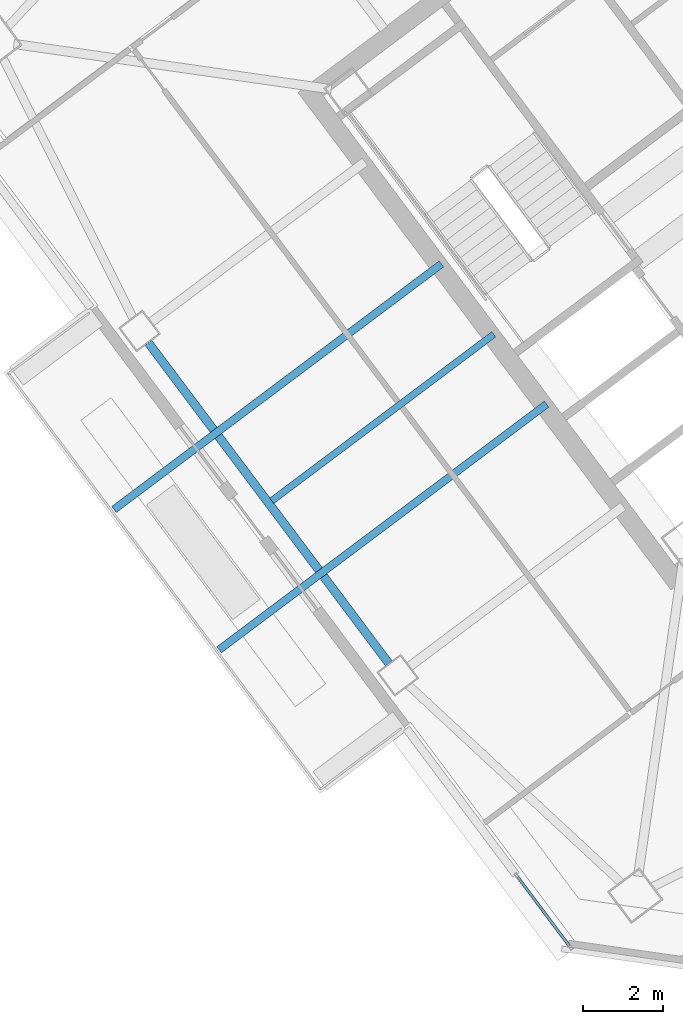
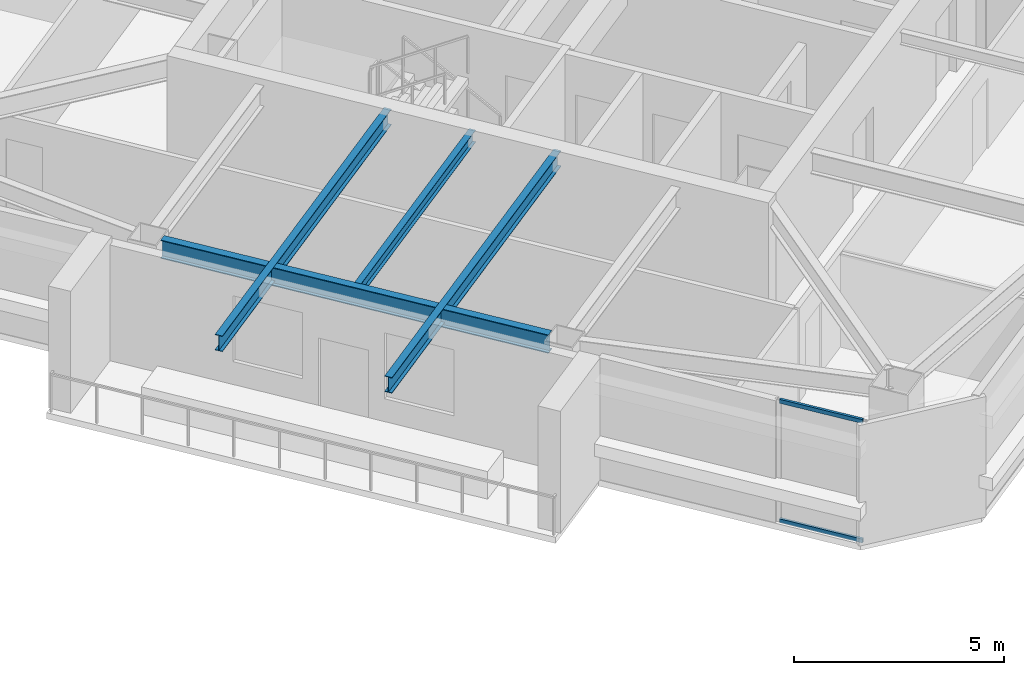
# One storey, part 16 of 40: 4 beams, 2 members, 1 element without a shape of its own.
"""IFC4 building model written with IfcOpenShell, lengths in metres."""

from ifc_helpers import new_model, si_unit, direction, frame, origin, origin_2d, place, context, subcontext, project, spatial, hollow_rectangle, i_section, extrude, material, material_profile, profile_set, type_object, element, aggregate, save


model = new_model("IFC4")

# Units and contexts
model_context = context("Model", 3, precision=1e-05, world=origin(), true_north=direction((0.0, 1.0)))
body_context = subcontext(model_context, "Body", "Model", "MODEL_VIEW")
ifc_project = project(units=[si_unit("LENGTHUNIT", "METRE"), si_unit("AREAUNIT", "SQUARE_METRE"), si_unit("VOLUMEUNIT", "CUBIC_METRE"), si_unit("PLANEANGLEUNIT", "RADIAN"), si_unit("MASSUNIT", "GRAM", prefix="KILO")], contexts=[model_context])

# Site, building, storey
site_placement = place(None, origin())
site = spatial("IfcSite", under=ifc_project, at=site_placement, CompositionType="ELEMENT")
building_placement = place(site_placement, origin())
building = spatial("IfcBuilding", under=site, at=building_placement, Name="Tashvorn Skyway Center", CompositionType="ELEMENT")
storey_placement = place(building_placement, frame((0.0, 0.0, 221.949951171875)))
storey = spatial("IfcBuildingStorey", under=building, at=storey_placement, Name="L60", CompositionType="ELEMENT", Elevation=221.949951171875)

# Beams
ifc_material_1 = material(Name="Steel ASTM A992 Grade 50", Category="steel")
ifc_material_profile_1 = material_profile(ifc_material_1, i_section(OverallWidth=0.1708984375, OverallDepth=0.35498046875, WebThickness=0.007080078125, FlangeThickness=0.01171875, at=origin_2d()), Name="W14X34")
ifc_profile_set_1 = profile_set([ifc_material_profile_1], Name="Steel ASTM A992 Grade 50")
beam_type_1 = type_object("IfcBeamType", Name="BM-JOIST-W14X34", PredefinedType="JOIST", material=ifc_profile_set_1)
beam_1_placement = place(storey_placement, frame((107.76806640625, 27.325927734375, 3.192626953125), z_axis=(-0.800004207761, -0.599994389612, 0.0), x_axis=(0.599994389612, -0.800004207761, 0.0)))
element("IfcBeam", 1, at=beam_1_placement, inside=storey, type_object=beam_type_1, Name="Tower 2 L60 Secondary Composite Joist JW", PredefinedType="JOIST", context=body_context, shape_type="SweptSolid", body=[
    extrude(i_section(OverallWidth=0.1708984375, OverallDepth=0.35498046875, WebThickness=0.007080078125, FlangeThickness=0.01171875, at=origin_2d()), origin(), (0.0, 0.0, 1.0), 6.962646484375),
])
ifc_material_profile_2 = material_profile(ifc_material_1, i_section(OverallWidth=0.19091796875, OverallDepth=0.4599609375, WebThickness=0.010009765625, FlangeThickness=0.01611328125, at=origin_2d()), Name="W18X55")
ifc_profile_set_2 = profile_set([ifc_material_profile_2], Name="Steel ASTM A992 Grade 50")
beam_type_2 = type_object("IfcBeamType", Name="BM-JOIST-W18X55", PredefinedType="JOIST", material=ifc_profile_set_2)
for number, where, z_axis, x_axis, name in (
    (2, (109.095947265625, 25.572021484375, 3.14013671875), (-0.799997147358, -0.600003803504, 0.0), (0.600003803504, -0.799997147358, 0.0), "Tower 2 L61 Terrace Cantilever Outlooker 1"),
    (3, (106.4560546875, 29.092041015625, 3.14013671875), (-0.799997147358, -0.600003803504, 0.0), (0.600003803504, -0.799997147358, 0.0), "Tower 2 L61 Terrace Cantilever Outlooker 2"),
):
    element("IfcBeam", number, at=place(storey_placement, frame(where, z_axis=z_axis, x_axis=x_axis)), inside=storey, type_object=beam_type_2, Name=name, PredefinedType="JOIST", context=body_context, shape_type="SweptSolid", body=[
        extrude(i_section(OverallWidth=0.19091796875, OverallDepth=0.4599609375, WebThickness=0.010009765625, FlangeThickness=0.01611328125, at=origin_2d()), origin(), (0.0, 0.0, 1.0), 10.27001953125),
    ])
ifc_material_profile_3 = material_profile(ifc_material_1, i_section(OverallWidth=0.2109375, OverallDepth=0.5390625, WebThickness=0.01171875, FlangeThickness=0.018798828125, at=origin_2d()), Name="W21X73")
ifc_profile_set_3 = profile_set([ifc_material_profile_3], Name="Steel ASTM A992 Grade 50")
beam_type_3 = type_object("IfcBeamType", Name="BM-SPANDREL-W21X73", PredefinedType="SPANDREL", material=ifc_profile_set_3)
beam_2_placement = place(storey_placement, frame((99.10205078125, 27.114013671875, 3.1005859375), z_axis=(0.599988351091, -0.800008736549, 0.0), x_axis=(0.800008736549, 0.599988351091, 0.0)))
element("IfcBeam", 4, at=beam_2_placement, inside=storey, type_object=beam_type_3, Name="Tower 2 L60 Spandrel Beam 11", PredefinedType="SPANDREL", context=body_context, shape_type="SweptSolid", body=[
    extrude(i_section(OverallWidth=0.2109375, OverallDepth=0.5390625, WebThickness=0.01171875, FlangeThickness=0.018798828125, at=origin_2d()), origin(), (0.0, 0.0, 1.0), 10.06005859375),
])

# Curtain wall, members
ifc_material_2 = material(Name="Thermally broken bronze-anodized aluminium 6063-T6", Category="aluminium")
curtain_wall_type = type_object("IfcCurtainWallType", Name="CW-CW-Z5", PredefinedType="NOTDEFINED", material=ifc_material_2)
curtain_wall_placement = place(storey_placement, origin())
curtain_wall = element("IfcCurtainWall", 5, at=curtain_wall_placement, inside=storey, type_object=curtain_wall_type, Name="Tower 2 L60 West Curtain Wall L Glazing Group 1", PredefinedType="NOTDEFINED")
ifc_material_profile_4 = material_profile(ifc_material_2, hollow_rectangle(XDim=0.070068359375, YDim=0.114990234375, WallThickness=0.00390625, at=origin_2d()), Name="ALU-TRAN-70x115")
ifc_profile_set_4 = profile_set([ifc_material_profile_4], Name="Thermally broken bronze-anodized aluminium 6063-T6")
member_type = type_object("IfcMemberType", Name="CWT-CW-Z5", PredefinedType="USERDEFINED", material=ifc_profile_set_4)
member_1_placement = place(storey_placement, frame((109.662109375, 11.98388671875, 0.03515625), z_axis=(-0.599945581779, 0.800040810774, 0.0), x_axis=(-0.800040810774, -0.599945581779, 0.0)))
member_1 = element("IfcMember", 6, at=member_1_placement, type_object=member_type, Name="CW-Z5 transom 1.1", ObjectType="TRANSOM", PredefinedType="USERDEFINED", context=body_context, shape_type="SweptSolid", body=[
    extrude(hollow_rectangle(XDim=0.070068359375, YDim=0.114990234375, WallThickness=0.00390625, at=origin_2d()), origin(), (0.0, 0.0, 1.0), 2.153564453125),
])
member_2_placement = place(storey_placement, frame((109.662109375, 11.98388671875, 3.51513671875), z_axis=(-0.599945581779, 0.800040810774, 0.0), x_axis=(-0.800040810774, -0.599945581779, 0.0)))
member_2 = element("IfcMember", 7, at=member_2_placement, type_object=member_type, Name="CW-Z5 transom 1.2", ObjectType="TRANSOM", PredefinedType="USERDEFINED", context=body_context, shape_type="SweptSolid", body=[
    extrude(hollow_rectangle(XDim=0.070068359375, YDim=0.114990234375, WallThickness=0.00390625, at=origin_2d()), origin(), (0.0, 0.0, 1.0), 2.153564453125),
])
aggregate(curtain_wall, [member_1, member_2])

save(model, "model.ifc")
